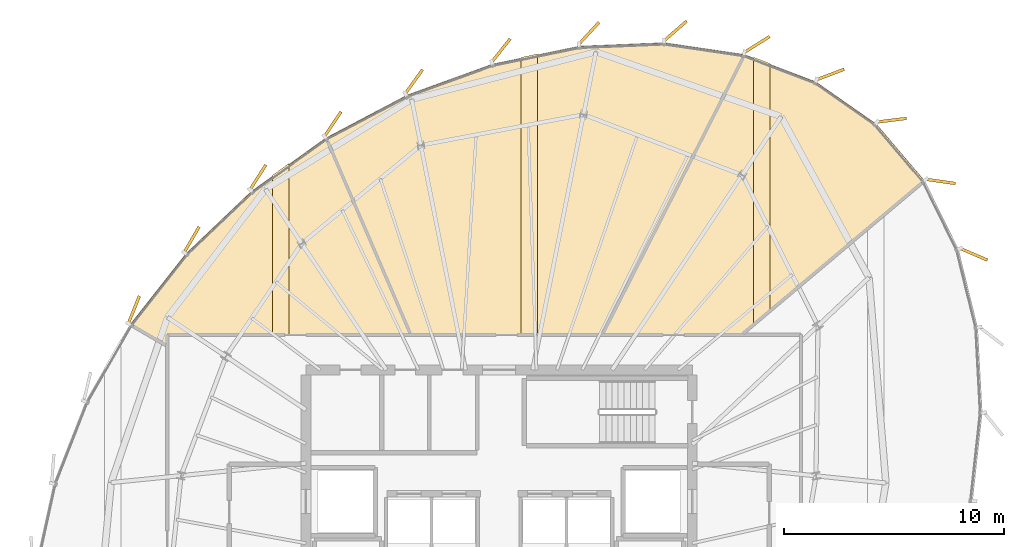
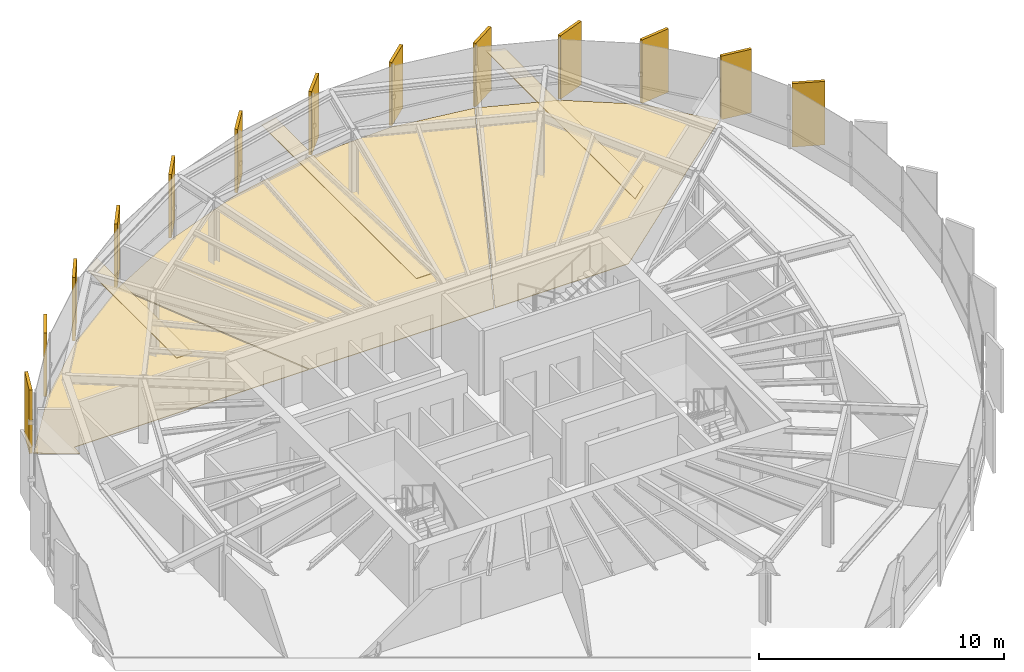
# One storey, part 36 of 36: 19 coverings.
"""IFC4 building model written with IfcOpenShell, lengths in metres."""

from ifc_helpers import new_model, si_unit, direction, frame, origin, origin_2d, place, context, subcontext, project, spatial, polyline, rectangle, outline, extrude, source, transform, mapped, material, layer, layer_set, type_object, element, save


model = new_model("IFC4")

# Units and contexts
model_context = context("Model", 3, precision=1e-05, world=origin(), true_north=direction((0.0, 1.0)))
body_context = subcontext(model_context, "Body", "Model", "MODEL_VIEW")
ifc_project = project(units=[si_unit("LENGTHUNIT", "METRE"), si_unit("AREAUNIT", "SQUARE_METRE"), si_unit("VOLUMEUNIT", "CUBIC_METRE"), si_unit("PLANEANGLEUNIT", "RADIAN"), si_unit("MASSUNIT", "GRAM", prefix="KILO"), si_unit("THERMODYNAMICTEMPERATUREUNIT", "KELVIN")], contexts=[model_context])

# Site, building, storey
site_placement = place(None, origin())
site = spatial("IfcSite", under=ifc_project, at=site_placement, CompositionType="ELEMENT")
building_placement = place(site_placement, origin())
building = spatial("IfcBuilding", under=site, at=building_placement, Name="Kethvar Cultural Tower", CompositionType="ELEMENT")
storey_placement = place(building_placement, frame((0.0, 0.0, 228.39990234375)))
storey = spatial("IfcBuildingStorey", under=building, at=storey_placement, Name="L59", CompositionType="ELEMENT", Elevation=228.39990234375)

# Coverings
ifc_material_1 = material(Name="Acoustic Mineral Fibre Ceiling")
ifc_layer_1 = layer(ifc_material_1, 0.0400390625, Name="Acoustic Mineral Fibre Ceiling")
ifc_layer_set_1 = layer_set([ifc_layer_1], Name="Acoustic Mineral Fibre Ceiling (40 mm)")
covering_type_1 = type_object("IfcCoveringType", Name="CV-ACOUSTIC-CEIL", PredefinedType="CEILING", material=ifc_layer_set_1)
covering_1_placement = place(storey_placement, frame((0.0, 0.0, 2.780029296875)))
element("IfcCovering", 1, at=covering_1_placement, inside=storey, type_object=covering_type_1, Name="L59 Room 04 Acoustic Ceiling Panel", PredefinedType="CEILING", context=body_context, shape_type="SweptSolid", body=[
    extrude(outline(polyline([(59.1328125, 49.461181640625), (59.1328125, 38.158203125), (58.3828125, 37.526611328125), (58.3828125, 49.7470703125), (59.1328125, 49.461181640625)])), origin(), (0.0, 0.0, 1.0), 0.0400390625),
])
covering_2_placement = place(storey_placement, frame((0.0, 0.0, 2.780029296875)))
element("IfcCovering", 2, at=covering_2_placement, inside=storey, type_object=covering_type_1, Name="L59 Room 05 Acoustic Ceiling Panel", PredefinedType="CEILING", context=body_context, shape_type="SweptSolid", body=[
    extrude(outline(polyline([(48.5498046875, 49.89013671875), (48.5498046875, 37.080078125), (47.7998046875, 37.080078125), (47.7998046875, 49.735595703125), (48.5498046875, 49.89013671875)])), origin(), (0.0, 0.0, 1.0), 0.0400390625),
])
covering_3_placement = place(storey_placement, frame((0.0, 0.0, 2.780029296875)))
element("IfcCovering", 3, at=covering_3_placement, inside=storey, type_object=covering_type_1, Name="L59 Room 06 Acoustic Ceiling Panel", PredefinedType="CEILING", context=body_context, shape_type="SweptSolid", body=[
    extrude(outline(polyline([(37.22998046875, 44.906982421875), (37.22998046875, 37.080078125), (36.47998046875, 37.080078125), (36.47998046875, 44.369140625), (37.22998046875, 44.906982421875)])), origin(), (0.0, 0.0, 1.0), 0.0400390625),
])
ifc_material_2 = material(Name="Architectural Oak Timber", Category="wood")
ifc_layer_2 = layer(ifc_material_2, 0.02490234375, Name="Architectural Oak Timber", Category="wood")
ifc_layer_set_2 = layer_set([ifc_layer_2], Name="Architectural Oak Timber (25 mm)")
covering_type_2 = type_object("IfcCoveringType", Name="CV-OAK-FLOOR", PredefinedType="FLOORING", material=ifc_layer_set_2)
covering_4_placement = place(storey_placement, origin())
element("IfcCovering", 4, at=covering_4_placement, inside=storey, type_object=covering_type_2, Name="L59 Room 04 Floor Finish", PredefinedType="FLOORING", context=body_context, shape_type="SweptSolid", body=[
    extrude(outline(polyline([(57.97509765625, 49.85986328125), (61.219482421875, 48.622314453125), (63.9873046875, 46.688720703125), (66.16162109375, 44.128662109375), (57.837890625, 37.1201171875), (51.5341796875, 37.1201171875), (57.97509765625, 49.85986328125)])), origin(), (0.0, 0.0, 1.0), 0.025146484375),
])
covering_5_placement = place(storey_placement, origin())
element("IfcCovering", 5, at=covering_5_placement, inside=storey, type_object=covering_type_2, Name="L59 Room 05 Floor Finish", PredefinedType="FLOORING", context=body_context, shape_type="SweptSolid", body=[
    extrude(outline(polyline([(42.603271484375, 48.011474609375), (46.50048828125, 49.427490234375), (50.457763671875, 50.2421875), (54.3271484375, 50.40087890625), (57.93505859375, 49.869384765625), (51.489501953125, 37.1201171875), (42.788818359375, 37.1201171875), (38.91796875, 46.065185546875), (42.603271484375, 48.011474609375)])), origin(), (0.0, 0.0, 1.0), 0.025146484375),
])
covering_6_placement = place(storey_placement, origin())
element("IfcCovering", 6, at=covering_6_placement, inside=storey, type_object=covering_type_2, Name="L59 Room 06 Floor Finish", PredefinedType="FLOORING", context=body_context, shape_type="SweptSolid", body=[
    extrude(outline(polyline([(32.531005859375, 40.783935546875), (35.51611328125, 43.62890625), (38.8837890625, 46.04345703125), (42.7451171875, 37.1201171875), (31.679931640625, 37.1201171875), (31.659912109375, 36.62109375), (30.010009765625, 37.579833984375), (32.531005859375, 40.783935546875)])), origin(), (0.0, 0.0, 1.0), 0.025146484375),
])
ifc_material_3 = material(Name="Extruded Architectural Terracotta", Category="masonry")
ifc_layer_3 = layer(ifc_material_3, 0.135009765625, Name="Extruded Architectural Terracotta", Category="masonry")
ifc_layer_set_3 = layer_set([ifc_layer_3], Name="Extruded Architectural Terracotta (135 mm)")
covering_type_3 = type_object("IfcCoveringType", Name="Terracotta Facade Fin FIN-03", PredefinedType="CLADDING", material=ifc_layer_set_3)
shared_shape = source(origin(), body_context, "Body", "SweptSolid", [
    extrude(rectangle(XDim=1.35009765625, YDim=0.135009765625, at=origin_2d()), origin(), (0.0, 0.0, 1.0), 3.169921875),
])
for number, where, z_axis, x_axis, name in (
    (7, (64.687255859375, 46.8720703125, 0.02001953125), (0.0, 0.0, 1.0), (0.992503550747, 0.12221579994, 0.0), "L59 Vertical Terracotta Fin 1.1"),
    (8, (61.888916015625, 48.9541015625, 0.02001953125), (0.0, 0.0, 1.0), (0.935197030894, 0.354127820719, 0.0), "L59 Vertical Terracotta Fin 1.2"),
    (9, (58.54833984375, 50.32373046875, 0.02001953125), (0.0, 0.0, 1.0), (0.846379123481, 0.532580866475, 0.0), "L59 Vertical Terracotta Fin 1.3"),
    (10, (54.834228515625, 50.94384765625, 0.02001953125), (0.0, 0.0, 1.0), (0.754595064827, 0.656190740668, 0.0), "L59 Vertical Terracotta Fin 1.4"),
    (11, (50.896240234375, 50.837158203125, 0.02001953125), (0.0, 0.0, 1.0), (0.677132874795, 0.735860767993, 0.0), "L59 Vertical Terracotta Fin 1.5"),
    (12, (46.886474609375, 50.05126953125, 0.02001953125), (0.0, 0.0, 1.0), (0.620326757977, 0.784343491933, 0.0), "L59 Vertical Terracotta Fin 1.6"),
    (13, (42.920654296875, 48.631591796875, 0.02001953125), (0.0, 0.0, 1.0), (0.584391303119, 0.811471998801, 0.0), "L59 Vertical Terracotta Fin 2.1"),
    (14, (39.223876953125, 46.6982421875, 0.02001953125), (0.0, 0.0, 1.0), (0.560494462233, 0.828158171974, 0.0), "L59 Vertical Terracotta Fin 2.2"),
    (15, (35.8125, 44.270263671875, 0.02001953125), (0.0, 0.0, 1.0), (0.539799632428, 0.84179353575, 0.0), "L59 Vertical Terracotta Fin 2.3"),
    (16, (32.792724609375, 41.430419921875, 0.02001953125), (0.0, 0.0, 1.0), (0.50286909456, 0.864362582332, 0.0), "L59 Vertical Terracotta Fin 2.4"),
    (17, (30.16259765625, 38.240234375, 0.02001953125), (0.0, 0.0, 1.0), (0.37314971487, 0.927771141119, 0.0), "L59 Vertical Terracotta Fin 2.5"),
    (18, (68.428466796875, 40.76416015625, 0.02001953125), (0.0, 0.0, 1.0), (0.919341480754, -0.393460597474, 0.0), "L59 Vertical Terracotta Fin 6.5"),
    (19, (66.919189453125, 44.08349609375, 0.02001953125), (0.0, 0.0, 1.0), (0.990170666273, -0.139864404519, 0.0), "L59 Vertical Terracotta Fin 6.6"),
):
    element("IfcCovering", number, at=place(storey_placement, frame(where, z_axis=z_axis, x_axis=x_axis)), inside=storey, type_object=covering_type_3, Name=name, PredefinedType="CLADDING", context=body_context, shape_type="MappedRepresentation", body=[
        mapped(shared_shape, transform((0.0, 0.0, 0.0), scale=1.0)),
    ])

save(model, "model.ifc")
